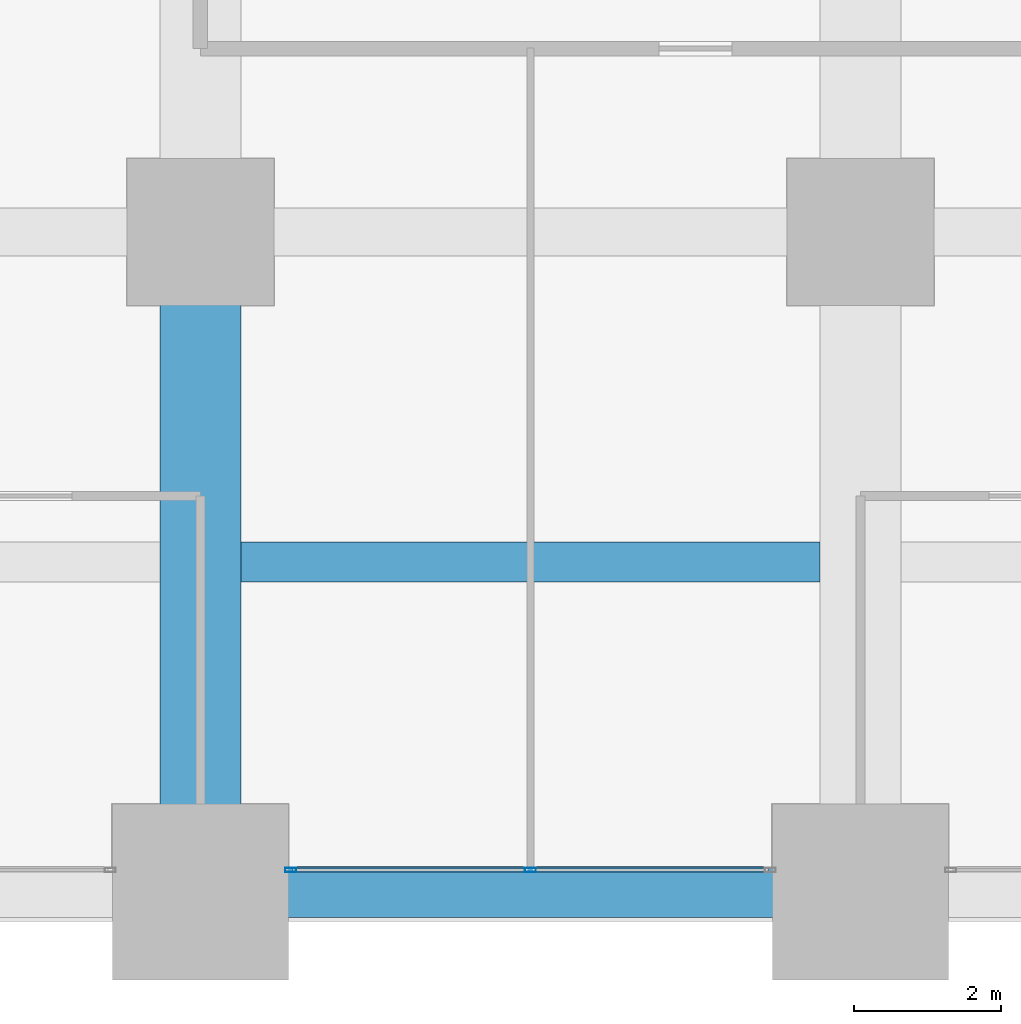
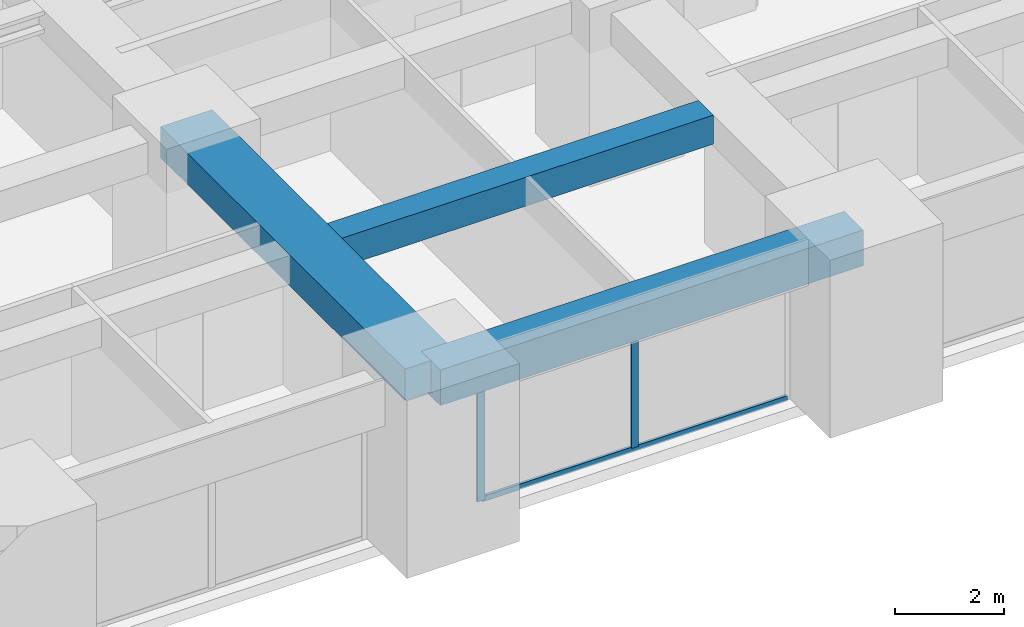
# One storey, part 7 of 41: 3 beams, 3 members, 1 element without a shape of its own.
"""IFC4 building model written with IfcOpenShell, lengths in metres."""

from ifc_helpers import new_model, si_unit, direction, frame, origin, origin_2d, place, context, subcontext, project, spatial, rectangle, hollow_rectangle, extrude, material, material_profile, profile_set, type_object, element, aggregate, save


model = new_model("IFC4")

# Units and contexts
model_context = context("Model", 3, precision=1e-05, world=origin(), true_north=direction((0.0, 1.0)))
body_context = subcontext(model_context, "Body", "Model", "MODEL_VIEW")
ifc_project = project(units=[si_unit("LENGTHUNIT", "METRE"), si_unit("AREAUNIT", "SQUARE_METRE"), si_unit("VOLUMEUNIT", "CUBIC_METRE"), si_unit("PLANEANGLEUNIT", "RADIAN"), si_unit("MASSUNIT", "GRAM", prefix="KILO")], contexts=[model_context])

# Site, building, storey
site_placement = place(None, origin())
site = spatial("IfcSite", under=ifc_project, at=site_placement, CompositionType="ELEMENT")
building_placement = place(site_placement, origin())
building = spatial("IfcBuilding", under=site, at=building_placement, Name="Zorevar Civic Tower", CompositionType="ELEMENT")
storey_placement = place(building_placement, frame((0.0, 0.0, 105.0)))
storey = spatial("IfcBuildingStorey", under=building, at=storey_placement, Name="L25", CompositionType="ELEMENT", Elevation=105.0)

# Beams
ifc_material_1 = material(Name="Concrete C50/60", Category="concrete")
ifc_material_profile_1 = material_profile(ifc_material_1, rectangle(XDim=1.10009765625, YDim=0.699951171875, at=origin_2d()), Name="RC 1100x700")
ifc_profile_set_1 = profile_set([ifc_material_profile_1], Name="Concrete C50/60")
beam_type_1 = type_object("IfcBeamType", Name="Beam RC 1100x700", PredefinedType="BEAM", material=ifc_profile_set_1)
beam_1_placement = place(storey_placement, frame((27.0, 0.0, 3.39990234375), z_axis=(0.0, 1.0, 0.0), x_axis=(-1.0, 0.0, 0.0)))
element("IfcBeam", 1, at=beam_1_placement, inside=storey, type_object=beam_type_1, Name="Girder L26", PredefinedType="BEAM", context=body_context, shape_type="SweptSolid", body=[
    extrude(rectangle(XDim=1.10009765625, YDim=0.699951171875, at=origin_2d()), origin(), (0.0, 0.0, 1.0), 9.0),
])
ifc_material_2 = material(Name="Concrete C50/60", Category="concrete")
ifc_material_profile_2 = material_profile(ifc_material_2, rectangle(XDim=0.550048828125, YDim=0.64990234375, at=origin_2d()), Name="RC 550x650")
ifc_profile_set_2 = profile_set([ifc_material_profile_2], Name="Concrete C50/60")
beam_type_2 = type_object("IfcBeamType", Name="Beam RC 550x650", PredefinedType="BEAM", material=ifc_profile_set_2)
beam_2_placement = place(storey_placement, frame((27.550048828125, 4.5, 3.425048828125), z_axis=(1.0, 0.0, 0.0), x_axis=(0.0, 1.0, 0.0)))
element("IfcBeam", 2, at=beam_2_placement, inside=storey, type_object=beam_type_2, Name="Secondary beam L26", PredefinedType="BEAM", context=body_context, shape_type="SweptSolid", body=[
    extrude(rectangle(XDim=0.550048828125, YDim=0.64990234375, at=origin_2d()), origin(), (0.0, 0.0, 1.0), 7.89990234375),
])

# Curtain wall, members
ifc_material_3 = material(Name="Dark grey solar-control glass in black aluminium frame", Category="aluminium")
curtain_wall_type = type_object("IfcCurtainWallType", Name="Curtain wall CW3 mid zone", PredefinedType="NOTDEFINED", material=ifc_material_3)
curtain_wall_placement = place(storey_placement, origin())
curtain_wall = element("IfcCurtainWall", 3, at=curtain_wall_placement, inside=storey, type_object=curtain_wall_type, Name="CW3 L25", PredefinedType="NOTDEFINED")
ifc_material_4 = material(Name="Aluminium, black anodised", Category="aluminium")
ifc_material_profile_3 = material_profile(ifc_material_4, hollow_rectangle(XDim=0.06005859375, YDim=0.14990234375, WallThickness=0.00390625, at=origin_2d()), Name="AL 150x60x4")
ifc_profile_set_3 = profile_set([ifc_material_profile_3], Name="Aluminium, black anodised")
member_type_1 = type_object("IfcMemberType", Name="CW3 mullion AL 150x60x4", PredefinedType="MULLION", material=ifc_profile_set_3)
member_1_placement = place(storey_placement, frame((28.22998046875, 0.300048828125, 0.0), z_axis=(0.0, 0.0, 1.0), x_axis=(0.0, 1.0, 0.0)))
member_1 = element("IfcMember", 4, at=member_1_placement, type_object=member_type_1, Name="CW3 mullion 1", PredefinedType="MULLION", context=body_context, shape_type="SweptSolid", body=[
    extrude(hollow_rectangle(XDim=0.06005859375, YDim=0.14990234375, WallThickness=0.00390625, at=origin_2d()), origin(), (0.0, 0.0, 1.0), 2.949951171875),
])
member_2_placement = place(storey_placement, frame((31.5, 0.300048828125, 0.06005859375), z_axis=(0.0, 0.0, 1.0), x_axis=(0.0, 1.0, 0.0)))
member_2 = element("IfcMember", 5, at=member_2_placement, type_object=member_type_1, Name="CW3 mullion 2", PredefinedType="MULLION", context=body_context, shape_type="SweptSolid", body=[
    extrude(hollow_rectangle(XDim=0.06005859375, YDim=0.14990234375, WallThickness=0.00390625, at=origin_2d()), origin(), (0.0, 0.0, 1.0), 2.889892578125),
])
ifc_material_5 = material(Name="Aluminium, black anodised", Category="aluminium")
ifc_material_profile_4 = material_profile(ifc_material_5, hollow_rectangle(XDim=0.06005859375, YDim=0.1201171875, WallThickness=0.0029296875, at=origin_2d()), Name="AL 120x60x3")
ifc_profile_set_4 = profile_set([ifc_material_profile_4], Name="Aluminium, black anodised")
member_type_2 = type_object("IfcMemberType", Name="CW3 transom AL 120x60x3", PredefinedType="USERDEFINED", material=ifc_profile_set_4)
member_3_placement = place(storey_placement, frame((28.260009765625, 0.300048828125, 0.030029296875), z_axis=(1.0, 0.0, 0.0), x_axis=(0.0, 1.0, 0.0)))
member_3 = element("IfcMember", 6, at=member_3_placement, type_object=member_type_2, Name="CW3 sill transom", ObjectType="TRANSOM", PredefinedType="USERDEFINED", context=body_context, shape_type="SweptSolid", body=[
    extrude(hollow_rectangle(XDim=0.06005859375, YDim=0.1201171875, WallThickness=0.0029296875, at=origin_2d()), origin(), (0.0, 0.0, 1.0), 6.47998046875),
])
aggregate(curtain_wall, [member_1, member_2, member_3])

# Beam
ifc_material_6 = material(Name="Concrete C50/60", Category="concrete")
ifc_material_profile_5 = material_profile(ifc_material_6, rectangle(XDim=0.699951171875, YDim=0.800048828125, at=origin_2d()), Name="RC 700x800")
ifc_profile_set_5 = profile_set([ifc_material_profile_5], Name="Concrete C50/60")
beam_type_3 = type_object("IfcBeamType", Name="Edge beam RC 700x800", PredefinedType="SPANDREL", material=ifc_profile_set_5)
beam_3_placement = place(storey_placement, frame((27.0, 0.0, 3.35009765625), z_axis=(1.0, 0.0, 0.0), x_axis=(0.0, 1.0, 0.0)))
element("IfcBeam", 7, at=beam_3_placement, inside=storey, type_object=beam_type_3, Name="Edge beam L26", PredefinedType="SPANDREL", context=body_context, shape_type="SweptSolid", body=[
    extrude(rectangle(XDim=0.699951171875, YDim=0.800048828125, at=origin_2d()), origin(), (0.0, 0.0, 1.0), 9.0),
])

save(model, "model.ifc")
